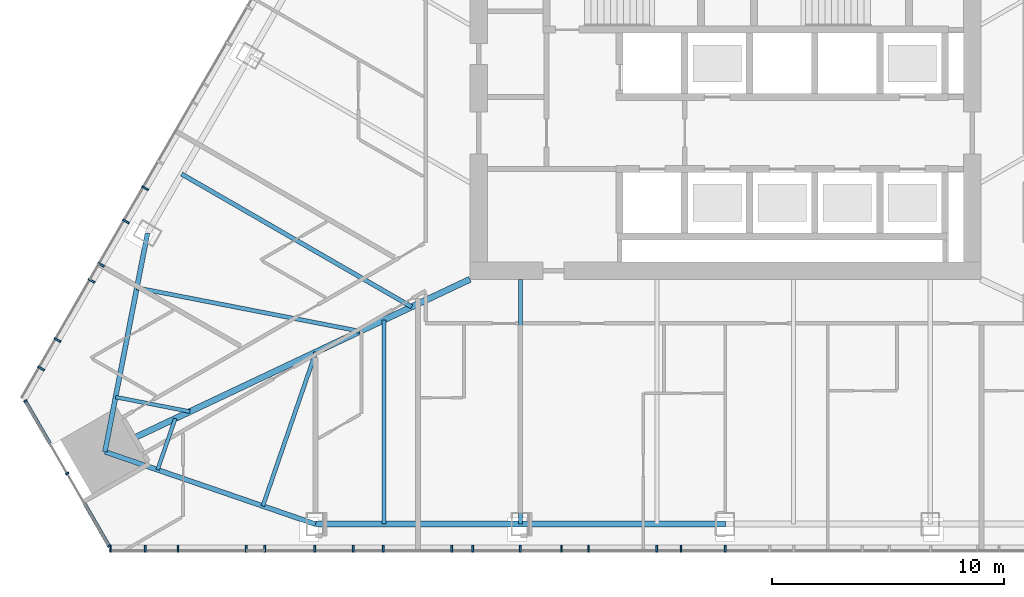
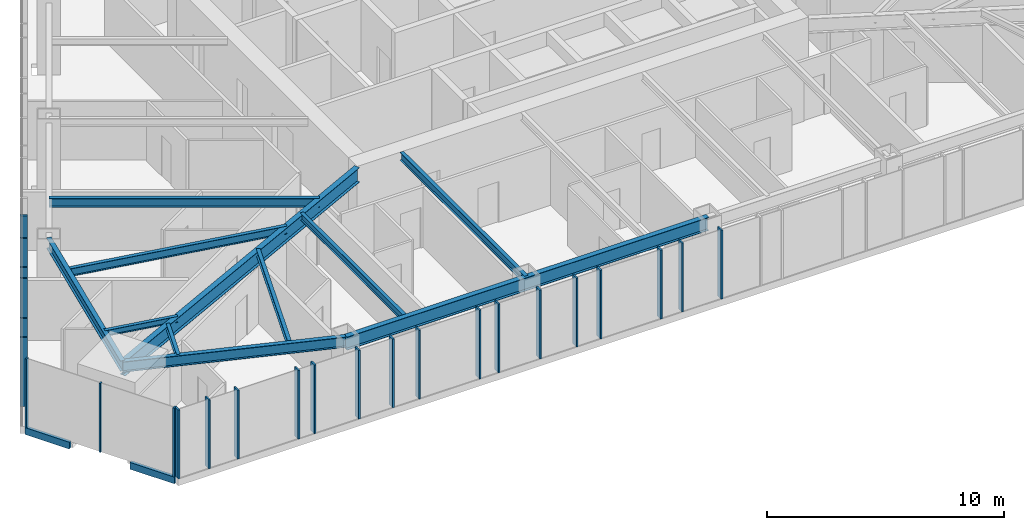
# One storey, part 2 of 19: 27 members, 11 beams, 3 elements without a shape of their own.
"""IFC4 building model written with IfcOpenShell, lengths in metres."""

from ifc_helpers import new_model, si_unit, direction, frame, origin, origin_2d, place, context, subcontext, project, spatial, rectangle, i_section, extrude, material, layer, layer_set, material_profile, profile_set, type_object, element, aggregate, save


model = new_model("IFC4")

# Units and contexts
model_context = context("Model", 3, precision=1e-05, world=origin(), true_north=direction((0.0, 1.0)))
body_context = subcontext(model_context, "Body", "Model", "MODEL_VIEW")
ifc_project = project(units=[si_unit("LENGTHUNIT", "METRE"), si_unit("AREAUNIT", "SQUARE_METRE"), si_unit("VOLUMEUNIT", "CUBIC_METRE"), si_unit("PLANEANGLEUNIT", "RADIAN"), si_unit("MASSUNIT", "GRAM", prefix="KILO")], contexts=[model_context])

# Site, building, storey
site_placement = place(None, origin())
site = spatial("IfcSite", under=ifc_project, at=site_placement, CompositionType="ELEMENT")
building_placement = place(site_placement, origin())
building = spatial("IfcBuilding", under=site, at=building_placement, Name="Firuza Gate Tower and Library", CompositionType="ELEMENT")
storey_placement = place(building_placement, frame((0.0, 0.0, 179.199951171875)))
storey = spatial("IfcBuildingStorey", under=building, at=storey_placement, Name="L41", CompositionType="ELEMENT", Elevation=179.199951171875)

# Curtain wall, members
ifc_material_1 = material(Name="Aluminium 6063-T6", Category="aluminium")
ifc_layer_1 = layer(ifc_material_1, 0.14990234375)
ifc_layer_set_1 = layer_set([ifc_layer_1], Name="Corner curtain wall, chamfers")
curtain_wall_type_1 = type_object("IfcCurtainWallType", Name="Corner curtain wall, chamfers", PredefinedType="NOTDEFINED", material=ifc_layer_set_1)
placement = place(storey_placement, origin())
curtain_wall_1 = element("IfcCurtainWall", 1, at=placement, inside=storey, type_object=curtain_wall_type_1, Name="CW4 L41 SW corner", PredefinedType="NOTDEFINED")
ifc_material_2 = material(Name="Aluminium 6063-T6", Category="aluminium")
ifc_material_profile_1 = material_profile(ifc_material_2, rectangle(XDim=0.14990234375, YDim=0.080078125, at=origin_2d()))
ifc_profile_set_1 = profile_set([ifc_material_profile_1], Name="Aluminium 6063-T6")
member_type_1 = type_object("IfcMemberType", Name="Curtain wall mullion 80x150", PredefinedType="MULLION", material=ifc_profile_set_1)
member_1_placement = place(storey_placement, frame((44.86181640625, 61.760498046875, 0.150146484375), z_axis=(0.0, 0.0, 1.0), x_axis=(0.866025403784, 0.5, 0.0)))
member_1 = element("IfcMember", 2, at=member_1_placement, type_object=member_type_1, Name="Mullion", PredefinedType="MULLION", context=body_context, shape_type="SweptSolid", body=[
    extrude(rectangle(XDim=0.14990234375, YDim=0.080078125, at=origin_2d()), origin(), (0.0, 0.0, 1.0), 3.5498046875),
])
member_2_placement = place(storey_placement, frame((46.66357421875, 58.639892578125, 0.150146484375), z_axis=(0.0, 0.0, 1.0), x_axis=(0.866025403784, 0.5, 0.0)))
member_2 = element("IfcMember", 3, at=member_2_placement, type_object=member_type_1, Name="Mullion", PredefinedType="MULLION", context=body_context, shape_type="SweptSolid", body=[
    extrude(rectangle(XDim=0.14990234375, YDim=0.080078125, at=origin_2d()), origin(), (0.0, 0.0, 1.0), 3.5498046875),
])
member_3_placement = place(storey_placement, frame((48.465087890625, 55.519287109375, 0.150146484375), z_axis=(0.0, 0.0, 1.0), x_axis=(0.866025403784, 0.5, 0.0)))
member_3 = element("IfcMember", 4, at=member_3_placement, type_object=member_type_1, Name="Mullion", PredefinedType="MULLION", context=body_context, shape_type="SweptSolid", body=[
    extrude(rectangle(XDim=0.14990234375, YDim=0.080078125, at=origin_2d()), origin(), (0.0, 0.0, 1.0), 3.5498046875),
])

ifc_material_3 = material(Name="Aluminium 6063-T6", Category="aluminium")
ifc_layer_2 = layer(ifc_material_3, 0.14990234375)
ifc_layer_set_2 = layer_set([ifc_layer_2], Name="Unitised curtain wall, hotel")
curtain_wall_type_2 = type_object("IfcCurtainWallType", Name="Unitised curtain wall, hotel", PredefinedType="NOTDEFINED", material=ifc_layer_set_2)
curtain_wall_2 = element("IfcCurtainWall", 5, at=placement, inside=storey, type_object=curtain_wall_type_2, Name="CW2 L41 S face", PredefinedType="NOTDEFINED")
ifc_material_4 = material(Name="Aluminium 6063-T6", Category="aluminium")
ifc_material_profile_2 = material_profile(ifc_material_4, rectangle(XDim=0.320068359375, YDim=0.080078125, at=origin_2d()))
ifc_profile_set_2 = profile_set([ifc_material_profile_2], Name="Aluminium 6063-T6")
member_type_2 = type_object("IfcMemberType", Name="Curtain wall mullion 80x320", PredefinedType="MULLION", material=ifc_profile_set_2)
member_4_placement = place(storey_placement, frame((48.525146484375, 55.399658203125, 0.150146484375), z_axis=(0.0, 0.0, 1.0), x_axis=(0.0, 1.0, 0.0)))
member_4 = element("IfcMember", 6, at=member_4_placement, type_object=member_type_2, Name="Mullion", PredefinedType="MULLION", context=body_context, shape_type="SweptSolid", body=[
    extrude(rectangle(XDim=0.320068359375, YDim=0.080078125, at=origin_2d()), origin(), (0.0, 0.0, 1.0), 3.5498046875),
])
member_5_placement = place(storey_placement, frame((51.43115234375, 55.399658203125, 0.150146484375), z_axis=(0.0, 0.0, 1.0), x_axis=(0.0, 1.0, 0.0)))
member_5 = element("IfcMember", 7, at=member_5_placement, type_object=member_type_2, Name="Mullion", PredefinedType="MULLION", context=body_context, shape_type="SweptSolid", body=[
    extrude(rectangle(XDim=0.320068359375, YDim=0.080078125, at=origin_2d()), origin(), (0.0, 0.0, 1.0), 3.5498046875),
])
member_6_placement = place(storey_placement, frame((54.37744140625, 55.399658203125, 0.150146484375), z_axis=(0.0, 0.0, 1.0), x_axis=(0.0, 1.0, 0.0)))
member_6 = element("IfcMember", 8, at=member_6_placement, type_object=member_type_2, Name="Mullion", PredefinedType="MULLION", context=body_context, shape_type="SweptSolid", body=[
    extrude(rectangle(XDim=0.320068359375, YDim=0.080078125, at=origin_2d()), origin(), (0.0, 0.0, 1.0), 3.5498046875),
])
member_7_placement = place(storey_placement, frame((57.323486328125, 55.399658203125, 0.150146484375), z_axis=(0.0, 0.0, 1.0), x_axis=(0.0, 1.0, 0.0)))
member_7 = element("IfcMember", 9, at=member_7_placement, type_object=member_type_2, Name="Mullion", PredefinedType="MULLION", context=body_context, shape_type="SweptSolid", body=[
    extrude(rectangle(XDim=0.320068359375, YDim=0.080078125, at=origin_2d()), origin(), (0.0, 0.0, 1.0), 3.5498046875),
])
member_8_placement = place(storey_placement, frame((60.26953125, 55.399658203125, 0.150146484375), z_axis=(0.0, 0.0, 1.0), x_axis=(0.0, 1.0, 0.0)))
member_8 = element("IfcMember", 10, at=member_8_placement, type_object=member_type_2, Name="Mullion", PredefinedType="MULLION", context=body_context, shape_type="SweptSolid", body=[
    extrude(rectangle(XDim=0.320068359375, YDim=0.080078125, at=origin_2d()), origin(), (0.0, 0.0, 1.0), 3.5498046875),
])
member_9_placement = place(storey_placement, frame((63.215576171875, 55.399658203125, 0.150146484375), z_axis=(0.0, 0.0, 1.0), x_axis=(0.0, 1.0, 0.0)))
member_9 = element("IfcMember", 11, at=member_9_placement, type_object=member_type_2, Name="Mullion", PredefinedType="MULLION", context=body_context, shape_type="SweptSolid", body=[
    extrude(rectangle(XDim=0.320068359375, YDim=0.080078125, at=origin_2d()), origin(), (0.0, 0.0, 1.0), 3.5498046875),
])
member_10_placement = place(storey_placement, frame((66.16162109375, 55.399658203125, 0.150146484375), z_axis=(0.0, 0.0, 1.0), x_axis=(0.0, 1.0, 0.0)))
member_10 = element("IfcMember", 12, at=member_10_placement, type_object=member_type_2, Name="Mullion", PredefinedType="MULLION", context=body_context, shape_type="SweptSolid", body=[
    extrude(rectangle(XDim=0.320068359375, YDim=0.080078125, at=origin_2d()), origin(), (0.0, 0.0, 1.0), 3.5498046875),
])
member_11_placement = place(storey_placement, frame((69.10791015625, 55.399658203125, 0.150146484375), z_axis=(0.0, 0.0, 1.0), x_axis=(0.0, 1.0, 0.0)))
member_11 = element("IfcMember", 13, at=member_11_placement, type_object=member_type_2, Name="Mullion", PredefinedType="MULLION", context=body_context, shape_type="SweptSolid", body=[
    extrude(rectangle(XDim=0.320068359375, YDim=0.080078125, at=origin_2d()), origin(), (0.0, 0.0, 1.0), 3.5498046875),
])
member_12_placement = place(storey_placement, frame((72.053955078125, 55.399658203125, 0.150146484375), z_axis=(0.0, 0.0, 1.0), x_axis=(0.0, 1.0, 0.0)))
member_12 = element("IfcMember", 14, at=member_12_placement, type_object=member_type_2, Name="Mullion", PredefinedType="MULLION", context=body_context, shape_type="SweptSolid", body=[
    extrude(rectangle(XDim=0.320068359375, YDim=0.080078125, at=origin_2d()), origin(), (0.0, 0.0, 1.0), 3.5498046875),
])
member_13_placement = place(storey_placement, frame((75.0, 55.399658203125, 0.150146484375), z_axis=(0.0, 0.0, 1.0), x_axis=(0.0, 1.0, 0.0)))
member_13 = element("IfcMember", 15, at=member_13_placement, type_object=member_type_2, Name="Mullion", PredefinedType="MULLION", context=body_context, shape_type="SweptSolid", body=[
    extrude(rectangle(XDim=0.320068359375, YDim=0.080078125, at=origin_2d()), origin(), (0.0, 0.0, 1.0), 3.5498046875),
])
member_14_placement = place(storey_placement, frame((50.02099609375, 55.399658203125, 0.150146484375), z_axis=(0.0, 0.0, 1.0), x_axis=(0.0, 1.0, 0.0)))
member_14 = element("IfcMember", 16, at=member_14_placement, type_object=member_type_2, Name="Mullion", PredefinedType="MULLION", context=body_context, shape_type="SweptSolid", body=[
    extrude(rectangle(XDim=0.320068359375, YDim=0.080078125, at=origin_2d()), origin(), (0.0, 0.0, 1.0), 3.5498046875),
])
member_15_placement = place(storey_placement, frame((55.16943359375, 55.399658203125, 0.150146484375), z_axis=(0.0, 0.0, 1.0), x_axis=(0.0, 1.0, 0.0)))
member_15 = element("IfcMember", 17, at=member_15_placement, type_object=member_type_2, Name="Mullion", PredefinedType="MULLION", context=body_context, shape_type="SweptSolid", body=[
    extrude(rectangle(XDim=0.320068359375, YDim=0.080078125, at=origin_2d()), origin(), (0.0, 0.0, 1.0), 3.5498046875),
])
member_16_placement = place(storey_placement, frame((58.98291015625, 55.399658203125, 0.150146484375), z_axis=(0.0, 0.0, 1.0), x_axis=(0.0, 1.0, 0.0)))
member_16 = element("IfcMember", 18, at=member_16_placement, type_object=member_type_2, Name="Mullion", PredefinedType="MULLION", context=body_context, shape_type="SweptSolid", body=[
    extrude(rectangle(XDim=0.320068359375, YDim=0.080078125, at=origin_2d()), origin(), (0.0, 0.0, 1.0), 3.5498046875),
])
member_17_placement = place(storey_placement, frame((64.13134765625, 55.399658203125, 0.150146484375), z_axis=(0.0, 0.0, 1.0), x_axis=(0.0, 1.0, 0.0)))
member_17 = element("IfcMember", 19, at=member_17_placement, type_object=member_type_2, Name="Mullion", PredefinedType="MULLION", context=body_context, shape_type="SweptSolid", body=[
    extrude(rectangle(XDim=0.320068359375, YDim=0.080078125, at=origin_2d()), origin(), (0.0, 0.0, 1.0), 3.5498046875),
])
member_18_placement = place(storey_placement, frame((67.94482421875, 55.399658203125, 0.150146484375), z_axis=(0.0, 0.0, 1.0), x_axis=(0.0, 1.0, 0.0)))
member_18 = element("IfcMember", 20, at=member_18_placement, type_object=member_type_2, Name="Mullion", PredefinedType="MULLION", context=body_context, shape_type="SweptSolid", body=[
    extrude(rectangle(XDim=0.320068359375, YDim=0.080078125, at=origin_2d()), origin(), (0.0, 0.0, 1.0), 3.5498046875),
])
member_19_placement = place(storey_placement, frame((73.09326171875, 55.399658203125, 0.150146484375), z_axis=(0.0, 0.0, 1.0), x_axis=(0.0, 1.0, 0.0)))
member_19 = element("IfcMember", 21, at=member_19_placement, type_object=member_type_2, Name="Mullion", PredefinedType="MULLION", context=body_context, shape_type="SweptSolid", body=[
    extrude(rectangle(XDim=0.320068359375, YDim=0.080078125, at=origin_2d()), origin(), (0.0, 0.0, 1.0), 3.5498046875),
])
aggregate(curtain_wall_2, [member_4, member_5, member_6, member_7, member_8, member_9, member_10, member_11, member_12, member_13, member_14, member_15, member_16, member_17, member_18, member_19])

curtain_wall_3 = element("IfcCurtainWall", 22, at=placement, inside=storey, type_object=curtain_wall_type_2, Name="CW2 L41 W face", PredefinedType="NOTDEFINED")
member_20_placement = place(storey_placement, frame((49.187255859375, 69.49169921875, 0.150146484375), z_axis=(0.0, 0.0, 1.0), x_axis=(0.866025403784, -0.5, 0.0)))
member_20 = element("IfcMember", 23, at=member_20_placement, type_object=member_type_2, Name="Mullion", PredefinedType="MULLION", context=body_context, shape_type="SweptSolid", body=[
    extrude(rectangle(XDim=0.320068359375, YDim=0.080078125, at=origin_2d()), origin(), (0.0, 0.0, 1.0), 3.5498046875),
])
member_21_placement = place(storey_placement, frame((47.71435546875, 66.9404296875, 0.150146484375), z_axis=(0.0, 0.0, 1.0), x_axis=(0.866025403784, -0.5, 0.0)))
member_21 = element("IfcMember", 24, at=member_21_placement, type_object=member_type_2, Name="Mullion", PredefinedType="MULLION", context=body_context, shape_type="SweptSolid", body=[
    extrude(rectangle(XDim=0.320068359375, YDim=0.080078125, at=origin_2d()), origin(), (0.0, 0.0, 1.0), 3.5498046875),
])
member_22_placement = place(storey_placement, frame((46.2412109375, 64.388916015625, 0.150146484375), z_axis=(0.0, 0.0, 1.0), x_axis=(0.866025403784, -0.5, 0.0)))
member_22 = element("IfcMember", 25, at=member_22_placement, type_object=member_type_2, Name="Mullion", PredefinedType="MULLION", context=body_context, shape_type="SweptSolid", body=[
    extrude(rectangle(XDim=0.320068359375, YDim=0.080078125, at=origin_2d()), origin(), (0.0, 0.0, 1.0), 3.5498046875),
])
member_23_placement = place(storey_placement, frame((50.01708984375, 70.928955078125, 0.150146484375), z_axis=(0.0, 0.0, 1.0), x_axis=(0.866025403784, -0.5, 0.0)))
member_23 = element("IfcMember", 26, at=member_23_placement, type_object=member_type_2, Name="Mullion", PredefinedType="MULLION", context=body_context, shape_type="SweptSolid", body=[
    extrude(rectangle(XDim=0.320068359375, YDim=0.080078125, at=origin_2d()), origin(), (0.0, 0.0, 1.0), 3.5498046875),
])
member_24_placement = place(storey_placement, frame((48.1103515625, 67.62646484375, 0.150146484375), z_axis=(0.0, 0.0, 1.0), x_axis=(0.866025403784, -0.5, 0.0)))
member_24 = element("IfcMember", 27, at=member_24_placement, type_object=member_type_2, Name="Mullion", PredefinedType="MULLION", context=body_context, shape_type="SweptSolid", body=[
    extrude(rectangle(XDim=0.320068359375, YDim=0.080078125, at=origin_2d()), origin(), (0.0, 0.0, 1.0), 3.5498046875),
])
member_25_placement = place(storey_placement, frame((45.5361328125, 63.167724609375, 0.150146484375), z_axis=(0.0, 0.0, 1.0), x_axis=(0.866025403784, -0.5, 0.0)))
member_25 = element("IfcMember", 28, at=member_25_placement, type_object=member_type_2, Name="Mullion", PredefinedType="MULLION", context=body_context, shape_type="SweptSolid", body=[
    extrude(rectangle(XDim=0.320068359375, YDim=0.080078125, at=origin_2d()), origin(), (0.0, 0.0, 1.0), 3.5498046875),
])
aggregate(curtain_wall_3, [member_20, member_21, member_22, member_23, member_24, member_25])

# Member
ifc_material_5 = material(Name="Aluminium 6063-T6", Category="aluminium")
ifc_material_profile_3 = material_profile(ifc_material_5, rectangle(XDim=0.14990234375, YDim=0.35009765625, at=origin_2d()))
ifc_profile_set_3 = profile_set([ifc_material_profile_3], Name="Aluminium 6063-T6")
member_type_3 = type_object("IfcMemberType", Name="Curtain wall transom 350x150", PredefinedType="USERDEFINED", material=ifc_profile_set_3)
member_26_placement = place(storey_placement, frame((44.841796875, 61.795166015625, -0.02490234375), z_axis=(0.500035042182, -0.866005171226, 0.0), x_axis=(0.866005171226, 0.500035042182, 0.0)))
member_26 = element("IfcMember", 29, at=member_26_placement, type_object=member_type_3, Name="Transom", ObjectType="TRANSOM", PredefinedType="USERDEFINED", context=body_context, shape_type="SweptSolid", body=[
    extrude(rectangle(XDim=0.14990234375, YDim=0.35009765625, at=origin_2d()), origin(), (0.0, 0.0, 1.0), 2.163330078125),
])

member_27_placement = place(storey_placement, frame((47.403564453125, 57.358154296875, -0.02490234375), z_axis=(0.499950402033, -0.866054037291, 0.0), x_axis=(0.866054037291, 0.499950402033, 0.0)))
member_27 = element("IfcMember", 30, at=member_27_placement, type_object=member_type_3, Name="Transom", ObjectType="TRANSOM", PredefinedType="USERDEFINED", context=body_context, shape_type="SweptSolid", body=[
    extrude(rectangle(XDim=0.14990234375, YDim=0.35009765625, at=origin_2d()), origin(), (0.0, 0.0, 1.0), 2.163330078125),
])

aggregate(curtain_wall_1, [member_1, member_2, member_3, member_26, member_27])

# Beams
ifc_material_6 = material(Name="Steel S355", Category="steel")
ifc_material_profile_4 = material_profile(ifc_material_6, i_section(OverallWidth=0.1650390625, OverallDepth=0.31005859375, WebThickness=0.005859375, FlangeThickness=0.009765625, at=origin_2d()))
ifc_profile_set_4 = profile_set([ifc_material_profile_4], Name="Steel S355")
beam_type_1 = type_object("IfcBeamType", Name="W310x39 Floor beam", PredefinedType="JOIST", material=ifc_profile_set_4)
beam_1_placement = place(storey_placement, frame((48.745361328125, 61.9296875, 3.545166015625), z_axis=(0.981558472637, -0.191162142681, 0.0), x_axis=(0.191162142681, 0.981558472637, 0.0)))
element("IfcBeam", 31, at=beam_1_placement, inside=storey, type_object=beam_type_1, Name="Floor beam L41 s01", PredefinedType="JOIST", context=body_context, shape_type="SweptSolid", body=[
    extrude(i_section(OverallWidth=0.1650390625, OverallDepth=0.31005859375, WebThickness=0.005859375, FlangeThickness=0.009765625, at=origin_2d()), origin(), (0.0, 0.0, 1.0), 3.26171875),
])
beam_2_placement = place(storey_placement, frame((50.553466796875, 58.798095703125, 3.545166015625), z_axis=(0.325275479668, 0.945619300949, 0.0), x_axis=(-0.945619300949, 0.325275479668, 0.0)))
element("IfcBeam", 32, at=beam_2_placement, inside=storey, type_object=beam_type_1, Name="Floor beam L41 s10", PredefinedType="JOIST", context=body_context, shape_type="SweptSolid", body=[
    extrude(i_section(OverallWidth=0.1650390625, OverallDepth=0.31005859375, WebThickness=0.005859375, FlangeThickness=0.009765625, at=origin_2d()), origin(), (0.0, 0.0, 1.0), 2.335693359375),
])
ifc_material_7 = material(Name="Steel S355", Category="steel")
ifc_material_profile_5 = material_profile(ifc_material_7, i_section(OverallWidth=0.1708984375, OverallDepth=0.35498046875, WebThickness=0.007080078125, FlangeThickness=0.01171875, at=origin_2d()))
ifc_profile_set_5 = profile_set([ifc_material_profile_5], Name="Steel S355")
beam_type_2 = type_object("IfcBeamType", Name="W360x51 Floor beam", PredefinedType="JOIST", material=ifc_profile_set_5)
beam_3_placement = place(storey_placement, frame((55.0859375, 57.239013671875, 3.5224609375), z_axis=(0.32522289411, 0.945637387769, 0.0), x_axis=(-0.945637387769, 0.32522289411, 0.0)))
element("IfcBeam", 33, at=beam_3_placement, inside=storey, type_object=beam_type_2, Name="Floor beam L41 s11", PredefinedType="JOIST", context=body_context, shape_type="SweptSolid", body=[
    extrude(i_section(OverallWidth=0.1708984375, OverallDepth=0.35498046875, WebThickness=0.007080078125, FlangeThickness=0.01171875, at=origin_2d()), origin(), (0.0, 0.0, 1.0), 7.007568359375),
])
beam_4_placement = place(storey_placement, frame((60.29345703125, 56.459716796875, 3.5224609375), z_axis=(0.0, 1.0, 0.0), x_axis=(-1.0, 0.0, 0.0)))
element("IfcBeam", 34, at=beam_4_placement, inside=storey, type_object=beam_type_2, Name="Floor beam L41 s20", PredefinedType="JOIST", context=body_context, shape_type="SweptSolid", body=[
    extrude(i_section(OverallWidth=0.1708984375, OverallDepth=0.35498046875, WebThickness=0.007080078125, FlangeThickness=0.01171875, at=origin_2d()), origin(), (0.0, 0.0, 1.0), 8.789306640625),
])
ifc_material_8 = material(Name="Steel S355", Category="steel")
ifc_material_profile_6 = material_profile(ifc_material_8, i_section(OverallWidth=0.177978515625, OverallDepth=0.406982421875, WebThickness=0.0078125, FlangeThickness=0.0126953125, at=origin_2d()))
ifc_profile_set_6 = profile_set([ifc_material_profile_6], Name="Steel S355")
beam_type_3 = type_object("IfcBeamType", Name="W410x60 Floor beam", PredefinedType="JOIST", material=ifc_profile_set_6)
beam_5_placement = place(storey_placement, frame((49.66162109375, 66.634521484375, 3.49658203125), z_axis=(0.981557560879, -0.191166824215, 0.0), x_axis=(0.191166824215, 0.981557560879, 0.0)))
element("IfcBeam", 35, at=beam_5_placement, inside=storey, type_object=beam_type_3, Name="Floor beam L41 s00", PredefinedType="JOIST", context=body_context, shape_type="SweptSolid", body=[
    extrude(i_section(OverallWidth=0.177978515625, OverallDepth=0.406982421875, WebThickness=0.0078125, FlangeThickness=0.0126953125, at=origin_2d()), origin(), (0.0, 0.0, 1.0), 9.78515625),
])
beam_6_placement = place(storey_placement, frame((66.176025390625, 56.459716796875, 3.49658203125), z_axis=(0.0, 1.0, 0.0), x_axis=(-1.0, 0.0, 0.0)))
element("IfcBeam", 36, at=beam_6_placement, inside=storey, type_object=beam_type_3, Name="Floor beam L41 s21", PredefinedType="JOIST", context=body_context, shape_type="SweptSolid", body=[
    extrude(i_section(OverallWidth=0.177978515625, OverallDepth=0.406982421875, WebThickness=0.0078125, FlangeThickness=0.0126953125, at=origin_2d()), origin(), (0.0, 0.0, 1.0), 10.540283203125),
])
ifc_material_9 = material(Name="Steel S355", Category="steel")
ifc_material_profile_7 = material_profile(ifc_material_9, i_section(OverallWidth=0.18994140625, OverallDepth=0.45703125, WebThickness=0.009033203125, FlangeThickness=0.014404296875, at=origin_2d()))
ifc_profile_set_7 = profile_set([ifc_material_profile_7], Name="Steel S355")
beam_type_4 = type_object("IfcBeamType", Name="W460x74 Floor beam", PredefinedType="JOIST", material=ifc_profile_set_7)
beam_7_placement = place(storey_placement, frame((51.59033203125, 71.533935546875, 3.471435546875), z_axis=(0.866027379035, -0.49999657875, 0.0), x_axis=(0.49999657875, 0.866027379035, 0.0)))
element("IfcBeam", 37, at=beam_7_placement, inside=storey, type_object=beam_type_4, Name="Floor beam L41 s85", PredefinedType="JOIST", context=body_context, shape_type="SweptSolid", body=[
    extrude(i_section(OverallWidth=0.18994140625, OverallDepth=0.45703125, WebThickness=0.009033203125, FlangeThickness=0.014404296875, at=origin_2d()), origin(), (0.0, 0.0, 1.0), 11.435546875),
])
ifc_material_10 = material(Name="Steel S355", Category="steel")
ifc_material_profile_8 = material_profile(ifc_material_10, i_section(OverallWidth=0.212890625, OverallDepth=0.5390625, WebThickness=0.01171875, FlangeThickness=0.018798828125, at=origin_2d()))
ifc_profile_set_8 = profile_set([ifc_material_profile_8], Name="Steel S355")
beam_type_5 = type_object("IfcBeamType", Name="W530x109 Edge beam", PredefinedType="SPANDREL", material=ifc_profile_set_8)
for number, where, z_axis, x_axis, name in (
    (38, (50.119873046875, 68.98681640625, 3.4306640625), (-0.191162086549, -0.981558483569, 0.0), (0.981558483569, -0.191162086549, 0.0), "Edge beam L41 e00"),
    (39, (48.287353515625, 59.577392578125, 3.4306640625), (0.945635206182, -0.325229237354, 0.0), (0.325229237354, 0.945635206182, 0.0), "Edge beam L41 e10"),
):
    element("IfcBeam", number, at=place(storey_placement, frame(where, z_axis=z_axis, x_axis=x_axis)), inside=storey, type_object=beam_type_5, Name=name, PredefinedType="SPANDREL", context=body_context, shape_type="SweptSolid", body=[
        extrude(i_section(OverallWidth=0.212890625, OverallDepth=0.5390625, WebThickness=0.01171875, FlangeThickness=0.018798828125, at=origin_2d()), origin(), (0.0, 0.0, 1.0), 9.586181640625),
    ])
ifc_material_11 = material(Name="Steel S355", Category="steel")
ifc_material_profile_9 = material_profile(ifc_material_11, i_section(OverallWidth=0.2529296875, OverallDepth=0.677978515625, WebThickness=0.01171875, FlangeThickness=0.016357421875, at=origin_2d()))
ifc_profile_set_9 = profile_set([ifc_material_profile_9], Name="Steel S355")
beam_type_6 = type_object("IfcBeamType", Name="W690x125 Edge beam", PredefinedType="SPANDREL", material=ifc_profile_set_9)
beam_8_placement = place(storey_placement, frame((57.352294921875, 56.459716796875, 3.361083984375), z_axis=(1.0, 0.0, 0.0), x_axis=(0.0, 1.0, 0.0)))
element("IfcBeam", 40, at=beam_8_placement, inside=storey, type_object=beam_type_6, Name="Edge beam L41 e20", PredefinedType="SPANDREL", context=body_context, shape_type="SweptSolid", body=[
    extrude(i_section(OverallWidth=0.2529296875, OverallDepth=0.677978515625, WebThickness=0.01171875, FlangeThickness=0.016357421875, at=origin_2d()), origin(), (0.0, 0.0, 1.0), 17.647705078125),
])
ifc_material_12 = material(Name="Steel S355", Category="steel")
ifc_material_profile_10 = material_profile(ifc_material_12, i_section(OverallWidth=0.264892578125, OverallDepth=0.7529296875, WebThickness=0.01318359375, FlangeThickness=0.01708984375, at=origin_2d()))
ifc_profile_set_10 = profile_set([ifc_material_profile_10], Name="Steel S355")
beam_type_7 = type_object("IfcBeamType", Name="W760x147 Girder", PredefinedType="BEAM", material=ifc_profile_set_10)
beam_9_placement = place(storey_placement, frame((48.287353515625, 59.577392578125, 3.323486328125), z_axis=(0.904187610241, 0.427135535266, 0.0), x_axis=(-0.427135535266, 0.904187610241, 0.0)))
element("IfcBeam", 41, at=beam_9_placement, inside=storey, type_object=beam_type_7, Name="Girder L41 gSW", PredefinedType="BEAM", context=body_context, shape_type="SweptSolid", body=[
    extrude(i_section(OverallWidth=0.264892578125, OverallDepth=0.7529296875, WebThickness=0.01318359375, FlangeThickness=0.01708984375, at=origin_2d()), origin(), (0.0, 0.0, 1.0), 17.377685546875),
])

save(model, "model.ifc")
